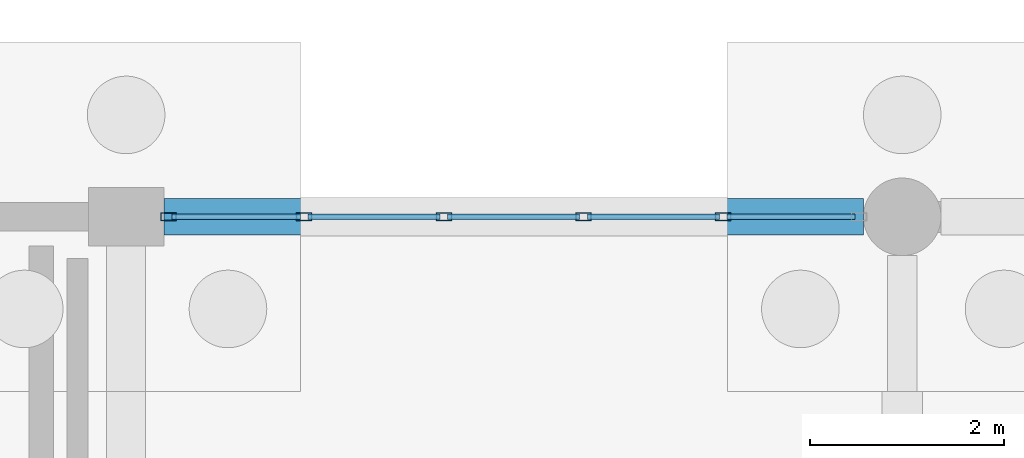
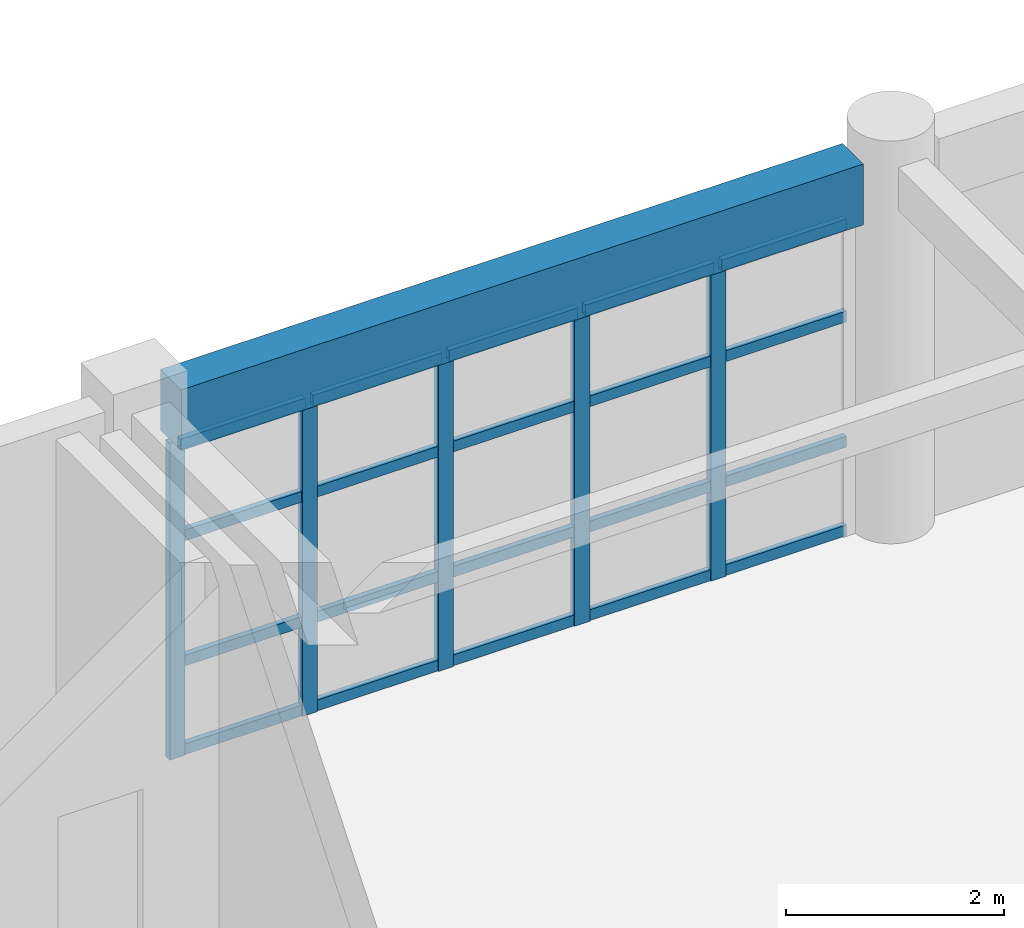
# One storey, part 67 of 166: 25 members, 1 beam, 1 element without a shape of its own.
"""IFC4 building model written with IfcOpenShell, lengths in metres."""

from ifc_helpers import new_model, si_unit, direction, frame, origin, origin_2d, place, context, subcontext, project, spatial, rectangle, hollow_rectangle, extrude, material, material_profile, profile_set, type_object, element, aggregate, save


model = new_model("IFC4")

# Units and contexts
model_context = context("Model", 3, precision=1e-05, world=origin(), true_north=direction((0.0, 1.0)))
body_context = subcontext(model_context, "Body", "Model", "MODEL_VIEW")
ifc_project = project(units=[si_unit("LENGTHUNIT", "METRE"), si_unit("AREAUNIT", "SQUARE_METRE"), si_unit("VOLUMEUNIT", "CUBIC_METRE"), si_unit("PLANEANGLEUNIT", "RADIAN"), si_unit("MASSUNIT", "GRAM", prefix="KILO")], contexts=[model_context])

# Site, building, storey
site_placement = place(None, origin())
site = spatial("IfcSite", under=ifc_project, at=site_placement, CompositionType="ELEMENT")
building_placement = place(site_placement, origin())
building = spatial("IfcBuilding", under=site, at=building_placement, Name="Kharva Crest Polytechnic", CompositionType="ELEMENT")
storey_placement = place(building_placement, origin())
storey = spatial("IfcBuildingStorey", under=building, at=storey_placement, Name="L00", CompositionType="ELEMENT", Elevation=0.0)

# Curtain wall, members
ifc_material_1 = material(Name="Tempered insulated glass", Category="glass")
curtain_wall_type = type_object("IfcCurtainWallType", Name="CW-SYS-COURT", PredefinedType="USERDEFINED", material=ifc_material_1)
curtain_wall_placement = place(storey_placement, origin())
curtain_wall = element("IfcCurtainWall", 1, at=curtain_wall_placement, inside=storey, type_object=curtain_wall_type, Name="L00 Glazed Curtain Wall CW-028", ObjectType="CURTAIN WALL", PredefinedType="USERDEFINED")
ifc_material_2 = material(Name="Steel S355", Category="steel")
ifc_material_profile_1 = material_profile(ifc_material_2, hollow_rectangle(XDim=0.080078125, YDim=0.159912109375, WallThickness=0.0048828125, at=origin_2d()), Name="RHS 160X80X5.0")
ifc_profile_set_1 = profile_set([ifc_material_profile_1], Name="Steel S355")
member_type_1 = type_object("IfcMemberType", Name="CWM-RHS160X80", PredefinedType="MULLION", material=ifc_profile_set_1)
member_1_placement = place(storey_placement, frame((78.155029296875, 122.0, 0.0), z_axis=(0.0, 0.0, 1.0), x_axis=(0.0, -1.0, 0.0)))
member_1 = element("IfcMember", 2, at=member_1_placement, type_object=member_type_1, Name="CW-028 mullion 2", PredefinedType="MULLION", context=body_context, shape_type="SweptSolid", body=[
    extrude(hollow_rectangle(XDim=0.080078125, YDim=0.159912109375, WallThickness=0.0048828125, at=origin_2d()), origin(), (0.0, 0.0, 1.0), 3.5400390625),
])
member_2_placement = place(storey_placement, frame((76.715087890625, 122.0, 0.0), z_axis=(0.0, 0.0, 1.0), x_axis=(0.0, -1.0, 0.0)))
member_2 = element("IfcMember", 3, at=member_2_placement, type_object=member_type_1, Name="CW-028 mullion 3", PredefinedType="MULLION", context=body_context, shape_type="SweptSolid", body=[
    extrude(hollow_rectangle(XDim=0.080078125, YDim=0.159912109375, WallThickness=0.0048828125, at=origin_2d()), origin(), (0.0, 0.0, 1.0), 3.5400390625),
])
member_3_placement = place(storey_placement, frame((75.27490234375, 122.0, 0.0), z_axis=(0.0, 0.0, 1.0), x_axis=(0.0, -1.0, 0.0)))
member_3 = element("IfcMember", 4, at=member_3_placement, type_object=member_type_1, Name="CW-028 mullion 4", PredefinedType="MULLION", context=body_context, shape_type="SweptSolid", body=[
    extrude(hollow_rectangle(XDim=0.080078125, YDim=0.159912109375, WallThickness=0.0048828125, at=origin_2d()), origin(), (0.0, 0.0, 1.0), 3.5400390625),
])
member_4_placement = place(storey_placement, frame((73.8349609375, 122.0, 0.0), z_axis=(0.0, 0.0, 1.0), x_axis=(0.0, -1.0, 0.0)))
member_4 = element("IfcMember", 5, at=member_4_placement, type_object=member_type_1, Name="CW-028 mullion 5", PredefinedType="MULLION", context=body_context, shape_type="SweptSolid", body=[
    extrude(hollow_rectangle(XDim=0.080078125, YDim=0.159912109375, WallThickness=0.0048828125, at=origin_2d()), origin(), (0.0, 0.0, 1.0), 3.5400390625),
])
member_5_placement = place(storey_placement, frame((72.43505859375, 122.0, 0.0), z_axis=(0.0, 0.0, 1.0), x_axis=(0.0, -1.0, 0.0)))
member_5 = element("IfcMember", 6, at=member_5_placement, type_object=member_type_1, Name="CW-028 mullion 6", PredefinedType="MULLION", context=body_context, shape_type="SweptSolid", body=[
    extrude(hollow_rectangle(XDim=0.080078125, YDim=0.159912109375, WallThickness=0.0048828125, at=origin_2d()), origin(), (0.0, 0.0, 1.0), 3.5400390625),
])
ifc_material_profile_2 = material_profile(ifc_material_2, hollow_rectangle(XDim=0.06005859375, YDim=0.1201171875, WallThickness=0.00390625, at=origin_2d()), Name="RHS 120X60X4.0")
ifc_profile_set_2 = profile_set([ifc_material_profile_2], Name="Steel S355")
member_type_2 = type_object("IfcMemberType", Name="CWT-RHS120X60", PredefinedType="USERDEFINED", material=ifc_profile_set_2)
member_6_placement = place(storey_placement, frame((79.514892578125, 122.0, 0.06005859375), z_axis=(-1.0, 0.0, 0.0), x_axis=(0.0, -1.0, 0.0)))
member_6 = element("IfcMember", 7, at=member_6_placement, type_object=member_type_2, Name="CW-028 transom 1.1", ObjectType="TRANSOM", PredefinedType="USERDEFINED", context=body_context, shape_type="SweptSolid", body=[
    extrude(hollow_rectangle(XDim=0.06005859375, YDim=0.1201171875, WallThickness=0.00390625, at=origin_2d()), origin(), (0.0, 0.0, 1.0), 1.31982421875),
])
member_7_placement = place(storey_placement, frame((79.514892578125, 122.0, 1.050048828125), z_axis=(-1.0, 0.0, 0.0), x_axis=(0.0, -1.0, 0.0)))
member_7 = element("IfcMember", 8, at=member_7_placement, type_object=member_type_2, Name="CW-028 transom 1.2", ObjectType="TRANSOM", PredefinedType="USERDEFINED", context=body_context, shape_type="SweptSolid", body=[
    extrude(hollow_rectangle(XDim=0.06005859375, YDim=0.1201171875, WallThickness=0.00390625, at=origin_2d()), origin(), (0.0, 0.0, 1.0), 1.31982421875),
])
member_8_placement = place(storey_placement, frame((79.514892578125, 122.0, 2.449951171875), z_axis=(-1.0, 0.0, 0.0), x_axis=(0.0, -1.0, 0.0)))
member_8 = element("IfcMember", 9, at=member_8_placement, type_object=member_type_2, Name="CW-028 transom 1.3", ObjectType="TRANSOM", PredefinedType="USERDEFINED", context=body_context, shape_type="SweptSolid", body=[
    extrude(hollow_rectangle(XDim=0.06005859375, YDim=0.1201171875, WallThickness=0.00390625, at=origin_2d()), origin(), (0.0, 0.0, 1.0), 1.31982421875),
])
member_9_placement = place(storey_placement, frame((79.514892578125, 122.0, 3.47998046875), z_axis=(-1.0, 0.0, 0.0), x_axis=(0.0, -1.0, 0.0)))
member_9 = element("IfcMember", 10, at=member_9_placement, type_object=member_type_2, Name="CW-028 transom 1.4", ObjectType="TRANSOM", PredefinedType="USERDEFINED", context=body_context, shape_type="SweptSolid", body=[
    extrude(hollow_rectangle(XDim=0.06005859375, YDim=0.1201171875, WallThickness=0.00390625, at=origin_2d()), origin(), (0.0, 0.0, 1.0), 1.31982421875),
])
member_10_placement = place(storey_placement, frame((78.114990234375, 122.0, 0.06005859375), z_axis=(-1.0, 0.0, 0.0), x_axis=(0.0, -1.0, 0.0)))
member_10 = element("IfcMember", 11, at=member_10_placement, type_object=member_type_2, Name="CW-028 transom 2.1", ObjectType="TRANSOM", PredefinedType="USERDEFINED", context=body_context, shape_type="SweptSolid", body=[
    extrude(hollow_rectangle(XDim=0.06005859375, YDim=0.1201171875, WallThickness=0.00390625, at=origin_2d()), origin(), (0.0, 0.0, 1.0), 1.360107421875),
])
member_11_placement = place(storey_placement, frame((78.114990234375, 122.0, 1.050048828125), z_axis=(-1.0, 0.0, 0.0), x_axis=(0.0, -1.0, 0.0)))
member_11 = element("IfcMember", 12, at=member_11_placement, type_object=member_type_2, Name="CW-028 transom 2.2", ObjectType="TRANSOM", PredefinedType="USERDEFINED", context=body_context, shape_type="SweptSolid", body=[
    extrude(hollow_rectangle(XDim=0.06005859375, YDim=0.1201171875, WallThickness=0.00390625, at=origin_2d()), origin(), (0.0, 0.0, 1.0), 1.360107421875),
])
member_12_placement = place(storey_placement, frame((78.114990234375, 122.0, 2.449951171875), z_axis=(-1.0, 0.0, 0.0), x_axis=(0.0, -1.0, 0.0)))
member_12 = element("IfcMember", 13, at=member_12_placement, type_object=member_type_2, Name="CW-028 transom 2.3", ObjectType="TRANSOM", PredefinedType="USERDEFINED", context=body_context, shape_type="SweptSolid", body=[
    extrude(hollow_rectangle(XDim=0.06005859375, YDim=0.1201171875, WallThickness=0.00390625, at=origin_2d()), origin(), (0.0, 0.0, 1.0), 1.360107421875),
])
member_13_placement = place(storey_placement, frame((78.114990234375, 122.0, 3.47998046875), z_axis=(-1.0, 0.0, 0.0), x_axis=(0.0, -1.0, 0.0)))
member_13 = element("IfcMember", 14, at=member_13_placement, type_object=member_type_2, Name="CW-028 transom 2.4", ObjectType="TRANSOM", PredefinedType="USERDEFINED", context=body_context, shape_type="SweptSolid", body=[
    extrude(hollow_rectangle(XDim=0.06005859375, YDim=0.1201171875, WallThickness=0.00390625, at=origin_2d()), origin(), (0.0, 0.0, 1.0), 1.360107421875),
])
member_14_placement = place(storey_placement, frame((76.675048828125, 122.0, 0.06005859375), z_axis=(-1.0, 0.0, 0.0), x_axis=(0.0, -1.0, 0.0)))
member_14 = element("IfcMember", 15, at=member_14_placement, type_object=member_type_2, Name="CW-028 transom 3.1", ObjectType="TRANSOM", PredefinedType="USERDEFINED", context=body_context, shape_type="SweptSolid", body=[
    extrude(hollow_rectangle(XDim=0.06005859375, YDim=0.1201171875, WallThickness=0.00390625, at=origin_2d()), origin(), (0.0, 0.0, 1.0), 1.360107421875),
])
member_15_placement = place(storey_placement, frame((76.675048828125, 122.0, 1.050048828125), z_axis=(-1.0, 0.0, 0.0), x_axis=(0.0, -1.0, 0.0)))
member_15 = element("IfcMember", 16, at=member_15_placement, type_object=member_type_2, Name="CW-028 transom 3.2", ObjectType="TRANSOM", PredefinedType="USERDEFINED", context=body_context, shape_type="SweptSolid", body=[
    extrude(hollow_rectangle(XDim=0.06005859375, YDim=0.1201171875, WallThickness=0.00390625, at=origin_2d()), origin(), (0.0, 0.0, 1.0), 1.360107421875),
])
member_16_placement = place(storey_placement, frame((76.675048828125, 122.0, 2.449951171875), z_axis=(-1.0, 0.0, 0.0), x_axis=(0.0, -1.0, 0.0)))
member_16 = element("IfcMember", 17, at=member_16_placement, type_object=member_type_2, Name="CW-028 transom 3.3", ObjectType="TRANSOM", PredefinedType="USERDEFINED", context=body_context, shape_type="SweptSolid", body=[
    extrude(hollow_rectangle(XDim=0.06005859375, YDim=0.1201171875, WallThickness=0.00390625, at=origin_2d()), origin(), (0.0, 0.0, 1.0), 1.360107421875),
])
member_17_placement = place(storey_placement, frame((76.675048828125, 122.0, 3.47998046875), z_axis=(-1.0, 0.0, 0.0), x_axis=(0.0, -1.0, 0.0)))
member_17 = element("IfcMember", 18, at=member_17_placement, type_object=member_type_2, Name="CW-028 transom 3.4", ObjectType="TRANSOM", PredefinedType="USERDEFINED", context=body_context, shape_type="SweptSolid", body=[
    extrude(hollow_rectangle(XDim=0.06005859375, YDim=0.1201171875, WallThickness=0.00390625, at=origin_2d()), origin(), (0.0, 0.0, 1.0), 1.360107421875),
])
member_18_placement = place(storey_placement, frame((75.235107421875, 122.0, 0.06005859375), z_axis=(-1.0, 0.0, 0.0), x_axis=(0.0, -1.0, 0.0)))
member_18 = element("IfcMember", 19, at=member_18_placement, type_object=member_type_2, Name="CW-028 transom 4.1", ObjectType="TRANSOM", PredefinedType="USERDEFINED", context=body_context, shape_type="SweptSolid", body=[
    extrude(hollow_rectangle(XDim=0.06005859375, YDim=0.1201171875, WallThickness=0.00390625, at=origin_2d()), origin(), (0.0, 0.0, 1.0), 1.360107421875),
])
member_19_placement = place(storey_placement, frame((75.235107421875, 122.0, 1.050048828125), z_axis=(-1.0, 0.0, 0.0), x_axis=(0.0, -1.0, 0.0)))
member_19 = element("IfcMember", 20, at=member_19_placement, type_object=member_type_2, Name="CW-028 transom 4.2", ObjectType="TRANSOM", PredefinedType="USERDEFINED", context=body_context, shape_type="SweptSolid", body=[
    extrude(hollow_rectangle(XDim=0.06005859375, YDim=0.1201171875, WallThickness=0.00390625, at=origin_2d()), origin(), (0.0, 0.0, 1.0), 1.360107421875),
])
member_20_placement = place(storey_placement, frame((75.235107421875, 122.0, 2.449951171875), z_axis=(-1.0, 0.0, 0.0), x_axis=(0.0, -1.0, 0.0)))
member_20 = element("IfcMember", 21, at=member_20_placement, type_object=member_type_2, Name="CW-028 transom 4.3", ObjectType="TRANSOM", PredefinedType="USERDEFINED", context=body_context, shape_type="SweptSolid", body=[
    extrude(hollow_rectangle(XDim=0.06005859375, YDim=0.1201171875, WallThickness=0.00390625, at=origin_2d()), origin(), (0.0, 0.0, 1.0), 1.360107421875),
])
member_21_placement = place(storey_placement, frame((75.235107421875, 122.0, 3.47998046875), z_axis=(-1.0, 0.0, 0.0), x_axis=(0.0, -1.0, 0.0)))
member_21 = element("IfcMember", 22, at=member_21_placement, type_object=member_type_2, Name="CW-028 transom 4.4", ObjectType="TRANSOM", PredefinedType="USERDEFINED", context=body_context, shape_type="SweptSolid", body=[
    extrude(hollow_rectangle(XDim=0.06005859375, YDim=0.1201171875, WallThickness=0.00390625, at=origin_2d()), origin(), (0.0, 0.0, 1.0), 1.360107421875),
])
member_22_placement = place(storey_placement, frame((73.794921875, 122.0, 0.06005859375), z_axis=(-1.0, 0.0, 0.0), x_axis=(0.0, -1.0, 0.0)))
member_22 = element("IfcMember", 23, at=member_22_placement, type_object=member_type_2, Name="CW-028 transom 5.1", ObjectType="TRANSOM", PredefinedType="USERDEFINED", context=body_context, shape_type="SweptSolid", body=[
    extrude(hollow_rectangle(XDim=0.06005859375, YDim=0.1201171875, WallThickness=0.00390625, at=origin_2d()), origin(), (0.0, 0.0, 1.0), 1.31982421875),
])
member_23_placement = place(storey_placement, frame((73.794921875, 122.0, 1.050048828125), z_axis=(-1.0, 0.0, 0.0), x_axis=(0.0, -1.0, 0.0)))
member_23 = element("IfcMember", 24, at=member_23_placement, type_object=member_type_2, Name="CW-028 transom 5.2", ObjectType="TRANSOM", PredefinedType="USERDEFINED", context=body_context, shape_type="SweptSolid", body=[
    extrude(hollow_rectangle(XDim=0.06005859375, YDim=0.1201171875, WallThickness=0.00390625, at=origin_2d()), origin(), (0.0, 0.0, 1.0), 1.31982421875),
])
member_24_placement = place(storey_placement, frame((73.794921875, 122.0, 2.449951171875), z_axis=(-1.0, 0.0, 0.0), x_axis=(0.0, -1.0, 0.0)))
member_24 = element("IfcMember", 25, at=member_24_placement, type_object=member_type_2, Name="CW-028 transom 5.3", ObjectType="TRANSOM", PredefinedType="USERDEFINED", context=body_context, shape_type="SweptSolid", body=[
    extrude(hollow_rectangle(XDim=0.06005859375, YDim=0.1201171875, WallThickness=0.00390625, at=origin_2d()), origin(), (0.0, 0.0, 1.0), 1.31982421875),
])
member_25_placement = place(storey_placement, frame((73.794921875, 122.0, 3.47998046875), z_axis=(-1.0, 0.0, 0.0), x_axis=(0.0, -1.0, 0.0)))
member_25 = element("IfcMember", 26, at=member_25_placement, type_object=member_type_2, Name="CW-028 transom 5.4", ObjectType="TRANSOM", PredefinedType="USERDEFINED", context=body_context, shape_type="SweptSolid", body=[
    extrude(hollow_rectangle(XDim=0.06005859375, YDim=0.1201171875, WallThickness=0.00390625, at=origin_2d()), origin(), (0.0, 0.0, 1.0), 1.31982421875),
])
aggregate(curtain_wall, [member_1, member_2, member_3, member_4, member_5, member_6, member_7, member_8, member_9, member_10, member_11, member_12, member_13, member_14, member_15, member_16, member_17, member_18, member_19, member_20, member_21, member_22, member_23, member_24, member_25])

# Beam
ifc_material_3 = material(Name="Concrete C35/45", Category="concrete")
ifc_material_profile_3 = material_profile(ifc_material_3, rectangle(XDim=0.3798828125, YDim=0.679931640625, at=origin_2d()), Name="RECT 380 X 680")
ifc_profile_set_3 = profile_set([ifc_material_profile_3], Name="Concrete C35/45")
beam_type = type_object("IfcBeamType", Name="SP-RC-380X680", PredefinedType="SPANDREL", material=ifc_profile_set_3)
beam_placement = place(storey_placement, frame((72.389892578125, 122.0, 3.8798828125), z_axis=(1.0, 0.0, 0.0), x_axis=(0.0, 1.0, 0.0)))
element("IfcBeam", 27, at=beam_placement, inside=storey, type_object=beam_type, Name="L00 Beam S/10-11", PredefinedType="SPANDREL", context=body_context, shape_type="SweptSolid", body=[
    extrude(rectangle(XDim=0.3798828125, YDim=0.679931640625, at=origin_2d()), origin(), (0.0, 0.0, 1.0), 7.210205078125),
])

save(model, "model.ifc")
